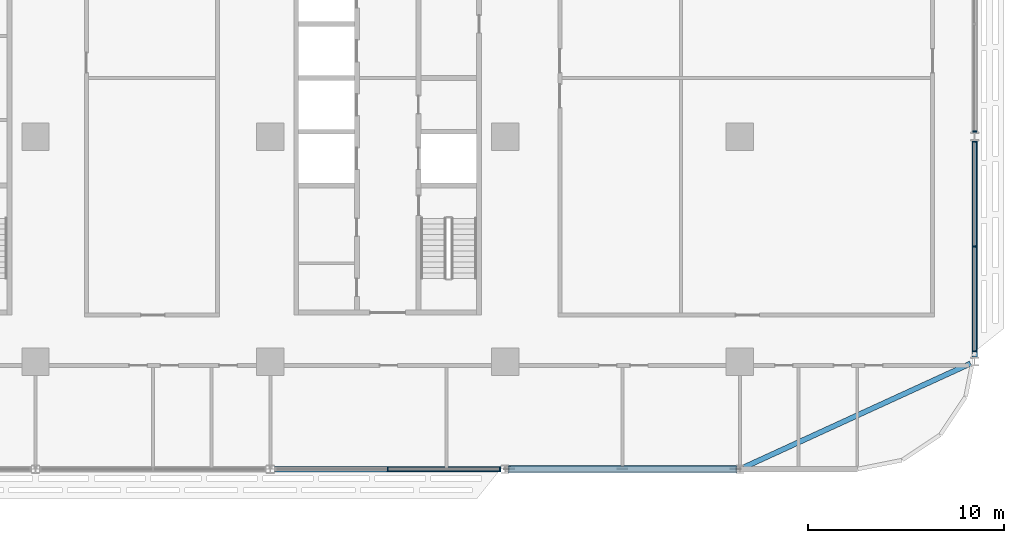
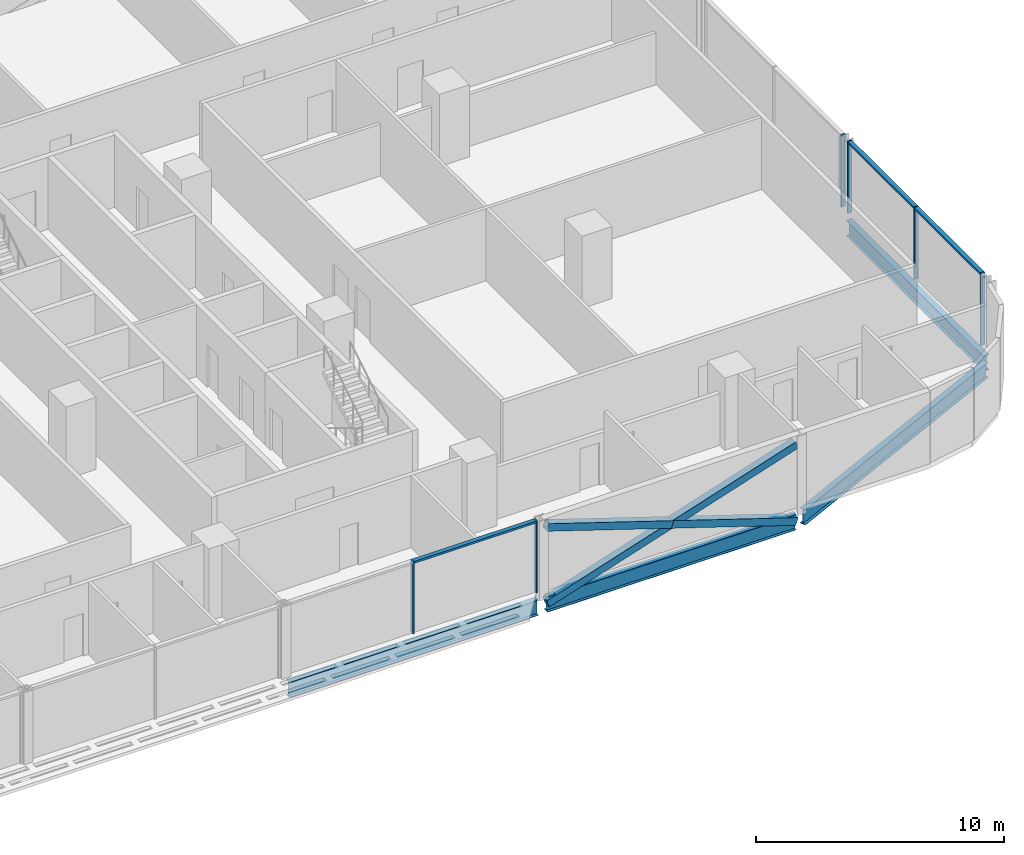
# One storey, part 8 of 29: 12 members, 4 beams, 3 elements without a shape of their own.
"""IFC4 building model written with IfcOpenShell, lengths in metres."""

from ifc_helpers import new_model, si_unit, direction, frame, origin, origin_2d, place, context, subcontext, project, spatial, rectangle, hollow_rectangle, i_section, extrude, material, material_profile, profile_set, type_object, element, aggregate, save


model = new_model("IFC4")

# Units and contexts
model_context = context("Model", 3, precision=1e-05, world=origin(), true_north=direction((0.0, 1.0)))
body_context = subcontext(model_context, "Body", "Model", "MODEL_VIEW")
ifc_project = project(units=[si_unit("LENGTHUNIT", "METRE"), si_unit("AREAUNIT", "SQUARE_METRE"), si_unit("VOLUMEUNIT", "CUBIC_METRE"), si_unit("PLANEANGLEUNIT", "RADIAN"), si_unit("MASSUNIT", "GRAM", prefix="KILO")], contexts=[model_context])

# Site, building, storey
site_placement = place(None, origin())
site = spatial("IfcSite", under=ifc_project, at=site_placement, CompositionType="ELEMENT")
building_placement = place(site_placement, origin())
building = spatial("IfcBuilding", under=site, at=building_placement, Name="Mahtab Terrace Research Tower", CompositionType="ELEMENT")
storey_placement = place(building_placement, frame((0.0, 0.0, 113.5)))
storey = spatial("IfcBuildingStorey", under=building, at=storey_placement, Name="L26", CompositionType="ELEMENT", Elevation=113.5)

# Members
ifc_material_1 = material(Name="Steel ASTM A500 Gr C", Category="steel")
ifc_material_profile_1 = material_profile(ifc_material_1, hollow_rectangle(XDim=0.355712890625, YDim=0.355712890625, WallThickness=0.01904296875, at=origin_2d()), Name="HSS14X14X3/4")
ifc_profile_set_1 = profile_set([ifc_material_profile_1], Name="Steel ASTM A500 Gr C")
member_type_1 = type_object("IfcMemberType", Name="HSS 14x14x3/4 brace XB141434", PredefinedType="BRACE", material=ifc_profile_set_1)
member_1_placement = place(storey_placement, frame((30.20947265625, -17.0, -0.650634765625), z_axis=(0.951267820326, 0.0, 0.308365909291), x_axis=(0.0, 1.0, 0.0)))
element("IfcMember", 1, at=member_1_placement, inside=storey, type_object=member_type_1, Name="Exoskeleton brace L26 18 a", PredefinedType="BRACE", context=body_context, shape_type="SweptSolid", body=[
    extrude(hollow_rectangle(XDim=0.355712890625, YDim=0.355712890625, WallThickness=0.01904296875, at=origin_2d()), origin(), (0.0, 0.0, 1.0), 12.17431640625),
])
for number, where, z_axis, x_axis, name in (
    (2, (41.79052734375, -17.0, -0.650634765625), (-0.951261937662, 0.0, 0.308384055936), (0.0, -1.0, 0.0), "Exoskeleton brace L26 18 b1"),
    (3, (36.0, -17.0, 1.2265625), (-0.951273702716, 0.0, 0.30834776231), (0.0, -1.0, 0.0), "Exoskeleton brace L26 18 b2"),
):
    element("IfcMember", number, at=place(storey_placement, frame(where, z_axis=z_axis, x_axis=x_axis)), inside=storey, type_object=member_type_1, Name=name, PredefinedType="BRACE", context=body_context, shape_type="SweptSolid", body=[
        extrude(hollow_rectangle(XDim=0.355712890625, YDim=0.355712890625, WallThickness=0.01904296875, at=origin_2d()), origin(), (0.0, 0.0, 1.0), 6.087158203125),
    ])

# Curtain wall, members
ifc_material_2 = material(Name="Laboratory ribbon curtain wall")
curtain_wall_type = type_object("IfcCurtainWallType", Name="Laboratory ribbon curtain wall", PredefinedType="NOTDEFINED", material=ifc_material_2)
curtain_wall_1_placement = place(storey_placement, origin())
curtain_wall_1 = element("IfcCurtainWall", 4, at=curtain_wall_1_placement, inside=storey, type_object=curtain_wall_type, Name="EN.L26.13.28", PredefinedType="NOTDEFINED")
ifc_material_3 = material(Name="Natural anodised aluminium", Category="aluminium")
ifc_material_profile_2 = material_profile(ifc_material_3, rectangle(XDim=0.199951171875, YDim=0.06494140625, at=origin_2d()), Name="MULLION 65x200")
ifc_profile_set_2 = profile_set([ifc_material_profile_2], Name="Natural anodised aluminium")
member_type_2 = type_object("IfcMemberType", Name="Laboratory ribbon curtain wall mullion", PredefinedType="MULLION", material=ifc_profile_set_2)
member_2_placement = place(storey_placement, frame((24.0, -17.0, 0.0), z_axis=(0.0, 0.0, 1.0), x_axis=(0.0, 1.0, 0.0)))
member_2 = element("IfcMember", 5, at=member_2_placement, type_object=member_type_2, Name="CWL-3 mullion 2", PredefinedType="MULLION", context=body_context, shape_type="SweptSolid", body=[
    extrude(rectangle(XDim=0.199951171875, YDim=0.06494140625, at=origin_2d()), origin(), (0.0, 0.0, 1.0), 3.550048828125),
])
member_3_placement = place(storey_placement, frame((29.739501953125, -17.0, 0.0), z_axis=(0.0, 0.0, 1.0), x_axis=(0.0, 1.0, 0.0)))
member_3 = element("IfcMember", 6, at=member_3_placement, type_object=member_type_2, Name="CWL-3 mullion 3", PredefinedType="MULLION", context=body_context, shape_type="SweptSolid", body=[
    extrude(rectangle(XDim=0.199951171875, YDim=0.06494140625, at=origin_2d()), origin(), (0.0, 0.0, 1.0), 3.550048828125),
])

curtain_wall_2_placement = place(storey_placement, origin())
curtain_wall_2 = element("IfcCurtainWall", 7, at=curtain_wall_2_placement, inside=storey, type_object=curtain_wall_type, Name="EN.L26.18.36", PredefinedType="NOTDEFINED")
member_4_placement = place(storey_placement, frame((54.0, -10.967529296875, 0.0), z_axis=(0.0, 0.0, 1.0), x_axis=(-1.0, 0.0, 0.0)))
member_4 = element("IfcMember", 8, at=member_4_placement, type_object=member_type_2, Name="CWL-3 mullion 1", PredefinedType="MULLION", context=body_context, shape_type="SweptSolid", body=[
    extrude(rectangle(XDim=0.199951171875, YDim=0.06494140625, at=origin_2d()), origin(), (0.0, 0.0, 1.0), 3.550048828125),
])
member_5_placement = place(storey_placement, frame((54.0, -5.614013671875, 0.0), z_axis=(0.0, 0.0, 1.0), x_axis=(-1.0, 0.0, 0.0)))
member_5 = element("IfcMember", 9, at=member_5_placement, type_object=member_type_2, Name="CWL-3 mullion 2", PredefinedType="MULLION", context=body_context, shape_type="SweptSolid", body=[
    extrude(rectangle(XDim=0.199951171875, YDim=0.06494140625, at=origin_2d()), origin(), (0.0, 0.0, 1.0), 3.550048828125),
])
member_6_placement = place(storey_placement, frame((54.0, -0.260498046875, 0.0), z_axis=(0.0, 0.0, 1.0), x_axis=(-1.0, 0.0, 0.0)))
member_6 = element("IfcMember", 10, at=member_6_placement, type_object=member_type_2, Name="CWL-3 mullion 3", PredefinedType="MULLION", context=body_context, shape_type="SweptSolid", body=[
    extrude(rectangle(XDim=0.199951171875, YDim=0.06494140625, at=origin_2d()), origin(), (0.0, 0.0, 1.0), 3.550048828125),
])

# Curtain wall, member
curtain_wall_3_placement = place(storey_placement, origin())
curtain_wall_3 = element("IfcCurtainWall", 11, at=curtain_wall_3_placement, inside=storey, type_object=curtain_wall_type, Name="EN.L26.18.37", PredefinedType="NOTDEFINED")
member_7_placement = place(storey_placement, frame((54.0, 0.260498046875, 0.0), z_axis=(0.0, 0.0, 1.0), x_axis=(-1.0, 0.0, 0.0)))
member_7 = element("IfcMember", 12, at=member_7_placement, type_object=member_type_2, Name="CWL-3 mullion 1", PredefinedType="MULLION", context=body_context, shape_type="SweptSolid", body=[
    extrude(rectangle(XDim=0.199951171875, YDim=0.06494140625, at=origin_2d()), origin(), (0.0, 0.0, 1.0), 3.550048828125),
])
aggregate(curtain_wall_3, [member_7])

# Member
ifc_material_profile_3 = material_profile(ifc_material_3, rectangle(XDim=0.199951171875, YDim=0.10009765625, at=origin_2d()), Name="TRANSOM 100x200")
ifc_profile_set_3 = profile_set([ifc_material_profile_3], Name="Natural anodised aluminium")
member_type_3 = type_object("IfcMemberType", Name="Laboratory ribbon curtain wall transom", PredefinedType="USERDEFINED", material=ifc_profile_set_3)
member_8_placement = place(storey_placement, frame((24.032470703125, -17.0, 3.5), z_axis=(1.0, 0.0, 0.0), x_axis=(0.0, 1.0, 0.0)))
member_8 = element("IfcMember", 13, at=member_8_placement, type_object=member_type_3, Name="CWL-3 transom 2", ObjectType="TRANSOM", PredefinedType="USERDEFINED", context=body_context, shape_type="SweptSolid", body=[
    extrude(rectangle(XDim=0.199951171875, YDim=0.10009765625, at=origin_2d()), origin(), (0.0, 0.0, 1.0), 5.674560546875),
])

aggregate(curtain_wall_1, [member_2, member_3, member_8])

member_9_placement = place(storey_placement, frame((54.0, -10.93505859375, 3.5), z_axis=(0.0, 1.0, 0.0), x_axis=(-1.0, 0.0, 0.0)))
member_9 = element("IfcMember", 14, at=member_9_placement, type_object=member_type_3, Name="CWL-3 transom 1", ObjectType="TRANSOM", PredefinedType="USERDEFINED", context=body_context, shape_type="SweptSolid", body=[
    extrude(rectangle(XDim=0.199951171875, YDim=0.10009765625, at=origin_2d()), origin(), (0.0, 0.0, 1.0), 5.28857421875),
])

member_10_placement = place(storey_placement, frame((54.0, -5.58154296875, 3.5), z_axis=(0.0, 1.0, 0.0), x_axis=(-1.0, 0.0, 0.0)))
member_10 = element("IfcMember", 15, at=member_10_placement, type_object=member_type_3, Name="CWL-3 transom 2", ObjectType="TRANSOM", PredefinedType="USERDEFINED", context=body_context, shape_type="SweptSolid", body=[
    extrude(rectangle(XDim=0.199951171875, YDim=0.10009765625, at=origin_2d()), origin(), (0.0, 0.0, 1.0), 5.28857421875),
])

aggregate(curtain_wall_2, [member_4, member_5, member_6, member_9, member_10])

# Beams
ifc_material_4 = material(Name="Steel ASTM A992 Gr 50", Category="steel")
ifc_material_profile_4 = material_profile(ifc_material_4, i_section(OverallWidth=0.2666015625, OverallDepth=0.7568359375, WebThickness=0.013916015625, FlangeThickness=0.019287109375, at=origin_2d()), Name="W30X108")
ifc_profile_set_4 = profile_set([ifc_material_profile_4], Name="Steel ASTM A992 Gr 50")
beam_type = type_object("IfcBeamType", Name="W30x108 beam BS30108", PredefinedType="BEAM", material=ifc_profile_set_4)
for number, where, z_axis, x_axis, name in (
    (16, (18.20947265625, -17.0, -0.718505859375), (1.0, 0.0, 0.0), (0.0, 1.0, 0.0), "Spandrel beam L26 17"),
    (17, (30.20947265625, -17.0, -0.718505859375), (1.0, 0.0, 0.0), (0.0, 1.0, 0.0), "Spandrel beam L26 18"),
):
    element("IfcBeam", number, at=place(storey_placement, frame(where, z_axis=z_axis, x_axis=x_axis)), inside=storey, type_object=beam_type, Name=name, PredefinedType="BEAM", context=body_context, shape_type="SweptSolid", body=[
        extrude(i_section(OverallWidth=0.2666015625, OverallDepth=0.7568359375, WebThickness=0.013916015625, FlangeThickness=0.019287109375, at=origin_2d()), origin(), (0.0, 0.0, 1.0), 11.5810546875),
    ])
beam_1_placement = place(storey_placement, frame((42.20947265625, -16.904052734375, -0.718505859375), z_axis=(0.909061193532, 0.416662629011, 0.0), x_axis=(-0.416662629011, 0.909061193532, 0.0)))
element("IfcBeam", 18, at=beam_1_placement, inside=storey, type_object=beam_type, Name="Spandrel beam L26 19", PredefinedType="BEAM", context=body_context, shape_type="SweptSolid", body=[
    extrude(i_section(OverallWidth=0.2666015625, OverallDepth=0.7568359375, WebThickness=0.013916015625, FlangeThickness=0.019287109375, at=origin_2d()), origin(), (0.0, 0.0, 1.0), 12.739501953125),
])
beam_2_placement = place(storey_placement, frame((54.0, -11.272705078125, -0.718505859375), z_axis=(0.0, 1.0, 0.0), x_axis=(-1.0, 0.0, 0.0)))
element("IfcBeam", 19, at=beam_2_placement, inside=storey, type_object=beam_type, Name="Spandrel beam L26 20", PredefinedType="BEAM", context=body_context, shape_type="SweptSolid", body=[
    extrude(i_section(OverallWidth=0.2666015625, OverallDepth=0.7568359375, WebThickness=0.013916015625, FlangeThickness=0.019287109375, at=origin_2d()), origin(), (0.0, 0.0, 1.0), 11.04541015625),
])

save(model, "model.ifc")
